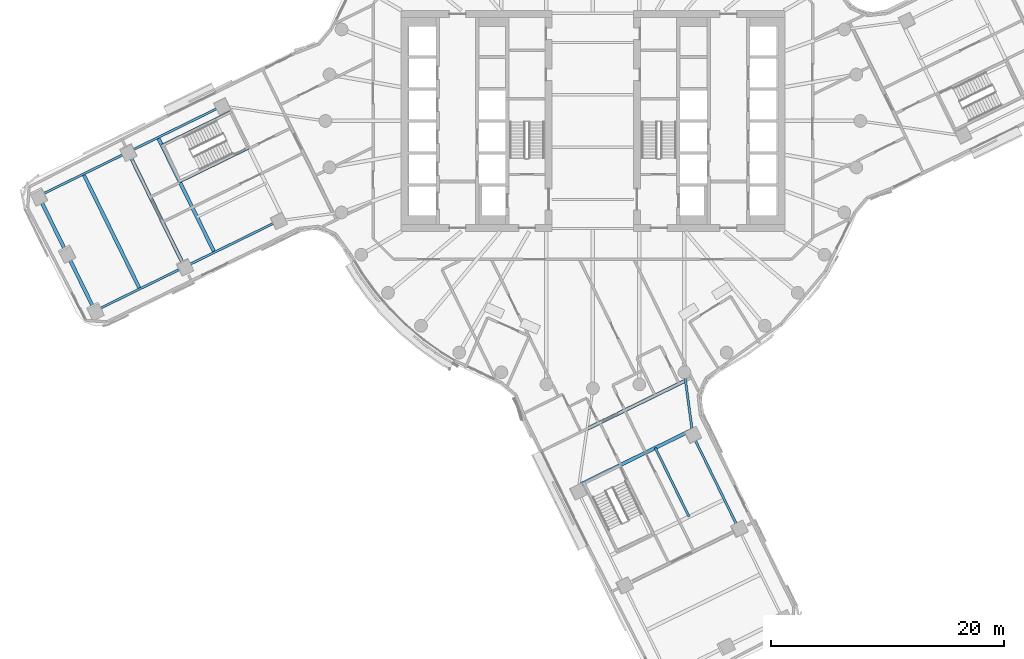
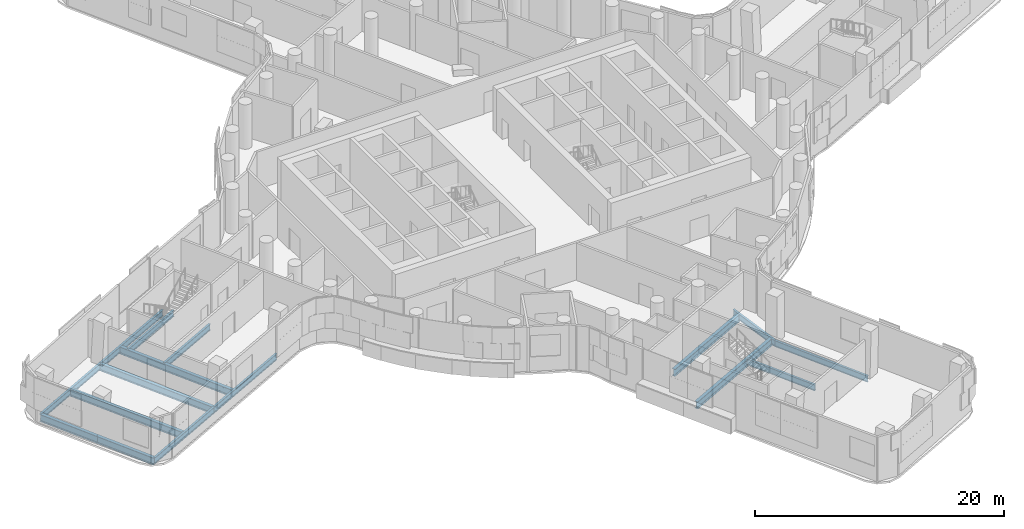
# One storey, part 4 of 23: 16 beams.
"""IFC4 building model written with IfcOpenShell, lengths in metres."""

from ifc_helpers import new_model, si_unit, direction, frame, origin, origin_2d, place, context, subcontext, project, spatial, i_section, extrude, material, material_profile, profile_set, type_object, element, save


model = new_model("IFC4")

# Units and contexts
model_context = context("Model", 3, precision=1e-05, world=origin(), true_north=direction((0.0, 1.0)))
body_context = subcontext(model_context, "Body", "Model", "MODEL_VIEW")
ifc_project = project(units=[si_unit("LENGTHUNIT", "METRE"), si_unit("AREAUNIT", "SQUARE_METRE"), si_unit("VOLUMEUNIT", "CUBIC_METRE"), si_unit("PLANEANGLEUNIT", "RADIAN"), si_unit("MASSUNIT", "GRAM", prefix="KILO")], contexts=[model_context])

# Site, building, storey
site_placement = place(None, origin())
site = spatial("IfcSite", under=ifc_project, at=site_placement, CompositionType="ELEMENT")
building_placement = place(site_placement, origin())
building = spatial("IfcBuilding", under=site, at=building_placement, Name="Tamarind Cross Interchange Tower", CompositionType="ELEMENT")
storey_placement = place(building_placement, frame((0.0, 0.0, 128.5)))
storey = spatial("IfcBuildingStorey", under=building, at=storey_placement, Name="L31", CompositionType="ELEMENT", Elevation=128.5)

# Beams
ifc_material = material(Name="Steel Q355B", Category="steel")
ifc_material_profile_1 = material_profile(ifc_material, i_section(OverallWidth=0.199951171875, OverallDepth=0.60009765625, WebThickness=0.010986328125, FlangeThickness=0.01708984375, FilletRadius=0.012939453125, at=origin_2d()), Name="HN 600x200x11x17")
ifc_profile_set_1 = profile_set([ifc_material_profile_1], Name="Steel Q355B")
beam_type_1 = type_object("IfcBeamType", Name="Composite beam HN 600x200x11x17 Q355B", PredefinedType="BEAM", material=ifc_profile_set_1)
beam_1_placement = place(storey_placement, frame((12.5546875, -35.11181640625, -0.47998046875), z_axis=(-0.440266569902, 0.897867110115, 0.0), x_axis=(-0.897867110115, -0.440266569902, 0.0)))
element("IfcBeam", 1, at=beam_1_placement, inside=storey, type_object=beam_type_1, Name="Beam S-edgeep3", PredefinedType="BEAM", context=body_context, shape_type="SweptSolid", body=[
    extrude(i_section(OverallWidth=0.199951171875, OverallDepth=0.60009765625, WebThickness=0.010986328125, FlangeThickness=0.01708984375, FilletRadius=0.012939453125, at=origin_2d()), origin(), (0.0, 0.0, 1.0), 9.0),
])
beam_2_placement = place(storey_placement, frame((8.59228515625, -27.031005859375, -0.47998046875), z_axis=(-0.132780970135, 0.991145405059, 0.0), x_axis=(-0.991145405059, -0.132780970135, 0.0)))
element("IfcBeam", 2, at=beam_2_placement, inside=storey, type_object=beam_type_1, Name="Beam S-linkep", PredefinedType="BEAM", context=body_context, shape_type="SweptSolid", body=[
    extrude(i_section(OverallWidth=0.199951171875, OverallDepth=0.60009765625, WebThickness=0.010986328125, FlangeThickness=0.01708984375, FilletRadius=0.012939453125, at=origin_2d()), origin(), (0.0, 0.0, 1.0), 5.46630859375),
])
beam_3_placement = place(storey_placement, frame((-47.658935546875, -6.45556640625, -0.47998046875), z_axis=(0.897877060494, 0.440246276802, 0.0), x_axis=(-0.440246276802, 0.897877060494, 0.0)))
element("IfcBeam", 3, at=beam_3_placement, inside=storey, type_object=beam_type_1, Name="Beam W-edgeem5", PredefinedType="BEAM", context=body_context, shape_type="SweptSolid", body=[
    extrude(i_section(OverallWidth=0.199951171875, OverallDepth=0.60009765625, WebThickness=0.010986328125, FlangeThickness=0.01708984375, FilletRadius=0.012939453125, at=origin_2d()), origin(), (0.0, 0.0, 1.0), 8.58056640625),
])
beam_4_placement = place(storey_placement, frame((-39.95458984375, -2.677978515625, -0.47998046875), z_axis=(0.897877833191, 0.440244700893, 0.0), x_axis=(-0.440244700893, 0.897877833191, 0.0)))
element("IfcBeam", 4, at=beam_4_placement, inside=storey, type_object=beam_type_1, Name="Beam W-edgeem6", PredefinedType="BEAM", context=body_context, shape_type="SweptSolid", body=[
    extrude(i_section(OverallWidth=0.199951171875, OverallDepth=0.60009765625, WebThickness=0.010986328125, FlangeThickness=0.01708984375, FilletRadius=0.012939453125, at=origin_2d()), origin(), (0.0, 0.0, 1.0), 9.0),
])
beam_5_placement = place(storey_placement, frame((-42.816162109375, -16.332275390625, -0.47998046875), z_axis=(0.897877060494, 0.440246276802, 0.0), x_axis=(-0.440246276802, 0.897877060494, 0.0)))
element("IfcBeam", 5, at=beam_5_placement, inside=storey, type_object=beam_type_1, Name="Beam W-edgeep2", PredefinedType="BEAM", context=body_context, shape_type="SweptSolid", body=[
    extrude(i_section(OverallWidth=0.199951171875, OverallDepth=0.60009765625, WebThickness=0.010986328125, FlangeThickness=0.01708984375, FilletRadius=0.012939453125, at=origin_2d()), origin(), (0.0, 0.0, 1.0), 8.58056640625),
])
beam_6_placement = place(storey_placement, frame((-35.11181640625, -12.5546875, -0.47998046875), z_axis=(0.897867110115, 0.440266569902, 0.0), x_axis=(-0.440266569902, 0.897867110115, 0.0)))
element("IfcBeam", 6, at=beam_6_placement, inside=storey, type_object=beam_type_1, Name="Beam W-edgeep3", PredefinedType="BEAM", context=body_context, shape_type="SweptSolid", body=[
    extrude(i_section(OverallWidth=0.199951171875, OverallDepth=0.60009765625, WebThickness=0.010986328125, FlangeThickness=0.01708984375, FilletRadius=0.012939453125, at=origin_2d()), origin(), (0.0, 0.0, 1.0), 9.0),
])
for number, where, z_axis, x_axis, name in (
    (7, (-31.139404296875, 0.808837890625, -0.47998046875), (-0.897884600077, -0.44023089958, 0.0), (0.44023089958, -0.897884600077, 0.0), "Beam W-tr0"),
    (8, (-29.5986328125, -2.333740234375, -0.47998046875), (-0.897884600077, -0.44023089958, 0.0), (0.44023089958, -0.897884600077, 0.0), "Beam W-tr1"),
    (9, (5.364013671875, -28.11279296875, -0.47998046875), (0.44023089958, -0.897884600077, 0.0), (0.897884600077, 0.44023089958, 0.0), "Beam S-stripp"),
):
    element("IfcBeam", number, at=place(storey_placement, frame(where, z_axis=z_axis, x_axis=x_axis)), inside=storey, type_object=beam_type_1, Name=name, PredefinedType="BEAM", context=body_context, shape_type="SweptSolid", body=[
        extrude(i_section(OverallWidth=0.199951171875, OverallDepth=0.60009765625, WebThickness=0.010986328125, FlangeThickness=0.01708984375, FilletRadius=0.012939453125, at=origin_2d()), origin(), (0.0, 0.0, 1.0), 6.60009765625),
    ])
ifc_material_profile_2 = material_profile(ifc_material, i_section(OverallWidth=0.300048828125, OverallDepth=0.699951171875, WebThickness=0.012939453125, FlangeThickness=0.02392578125, FilletRadius=0.01806640625, at=origin_2d()), Name="HN 700x300x13x24")
ifc_profile_set_2 = profile_set([ifc_material_profile_2], Name="Steel Q355B")
beam_type_2 = type_object("IfcBeamType", Name="Composite beam HN 700x300x13x24 Q355B", PredefinedType="BEAM", material=ifc_profile_set_2)
beam_7_placement = place(storey_placement, frame((-1.2060546875, -31.334228515625, -0.530029296875), z_axis=(0.897876745729, 0.440246918761, 0.0), x_axis=(-0.440246918761, 0.897876745729, 0.0)))
element("IfcBeam", 10, at=beam_7_placement, inside=storey, type_object=beam_type_2, Name="Beam S-x298", PredefinedType="BEAM", context=body_context, shape_type="SweptSolid", body=[
    extrude(i_section(OverallWidth=0.300048828125, OverallDepth=0.699951171875, WebThickness=0.012939453125, FlangeThickness=0.02392578125, FilletRadius=0.01806640625, at=origin_2d()), origin(), (0.0, 0.0, 1.0), 10.842529296875),
])
beam_8_placement = place(storey_placement, frame((-47.658935546875, -6.45556640625, -0.530029296875), z_axis=(0.440240019517, -0.897880128534, 0.0), x_axis=(0.897880128534, 0.440240019517, 0.0)))
element("IfcBeam", 11, at=beam_8_placement, inside=storey, type_object=beam_type_2, Name="Beam W-tip0", PredefinedType="BEAM", context=body_context, shape_type="SweptSolid", body=[
    extrude(i_section(OverallWidth=0.300048828125, OverallDepth=0.699951171875, WebThickness=0.012939453125, FlangeThickness=0.02392578125, FilletRadius=0.01806640625, at=origin_2d()), origin(), (0.0, 0.0, 1.0), 5.500244140625),
])
beam_9_placement = place(storey_placement, frame((-45.237548828125, -11.39404296875, -0.530029296875), z_axis=(0.440257565937, -0.897871525128, 0.0), x_axis=(0.897871525128, 0.440257565937, 0.0)))
element("IfcBeam", 12, at=beam_9_placement, inside=storey, type_object=beam_type_2, Name="Beam W-tip1", PredefinedType="BEAM", context=body_context, shape_type="SweptSolid", body=[
    extrude(i_section(OverallWidth=0.300048828125, OverallDepth=0.699951171875, WebThickness=0.012939453125, FlangeThickness=0.02392578125, FilletRadius=0.01806640625, at=origin_2d()), origin(), (0.0, 0.0, 1.0), 5.5),
])
for number, where, z_axis, x_axis, name in (
    (13, (-37.395751953125, -1.42333984375, -0.530029296875), (0.440248792574, -0.897875826959, 0.0), (0.897875826959, 0.440248792574, 0.0), "Beam W-x364"),
    (14, (-39.95458984375, -2.677978515625, -0.530029296875), (0.440248792574, -0.897875826959, 0.0), (0.897875826959, 0.440248792574, 0.0), "Beam W-x393"),
):
    element("IfcBeam", number, at=place(storey_placement, frame(where, z_axis=z_axis, x_axis=x_axis)), inside=storey, type_object=beam_type_2, Name=name, PredefinedType="BEAM", context=body_context, shape_type="SweptSolid", body=[
        extrude(i_section(OverallWidth=0.300048828125, OverallDepth=0.699951171875, WebThickness=0.012939453125, FlangeThickness=0.02392578125, FilletRadius=0.01806640625, at=origin_2d()), origin(), (0.0, 0.0, 1.0), 11.0),
    ])
beam_10_placement = place(storey_placement, frame((-0.50341796875, -26.47900390625, -0.530029296875), z_axis=(0.897880185205, 0.440239903935, 0.0), x_axis=(-0.440239903935, 0.897880185205, 0.0)))
element("IfcBeam", 15, at=beam_10_placement, inside=storey, type_object=beam_type_2, Name="Beam S-x258", PredefinedType="BEAM", context=body_context, shape_type="SweptSolid", body=[
    extrude(i_section(OverallWidth=0.300048828125, OverallDepth=0.699951171875, WebThickness=0.012939453125, FlangeThickness=0.02392578125, FilletRadius=0.01806640625, at=origin_2d()), origin(), (0.0, 0.0, 1.0), 9.4287109375),
])
beam_11_placement = place(storey_placement, frame((-43.806640625, -4.56689453125, -0.530029296875), z_axis=(0.440257565937, -0.897871525128, 0.0), x_axis=(0.897871525128, 0.440257565937, 0.0)))
element("IfcBeam", 16, at=beam_11_placement, inside=storey, type_object=beam_type_2, Name="Beam W-x436", PredefinedType="BEAM", context=body_context, shape_type="SweptSolid", body=[
    extrude(i_section(OverallWidth=0.300048828125, OverallDepth=0.699951171875, WebThickness=0.012939453125, FlangeThickness=0.02392578125, FilletRadius=0.01806640625, at=origin_2d()), origin(), (0.0, 0.0, 1.0), 10.999755859375),
])

save(model, "model.ifc")
